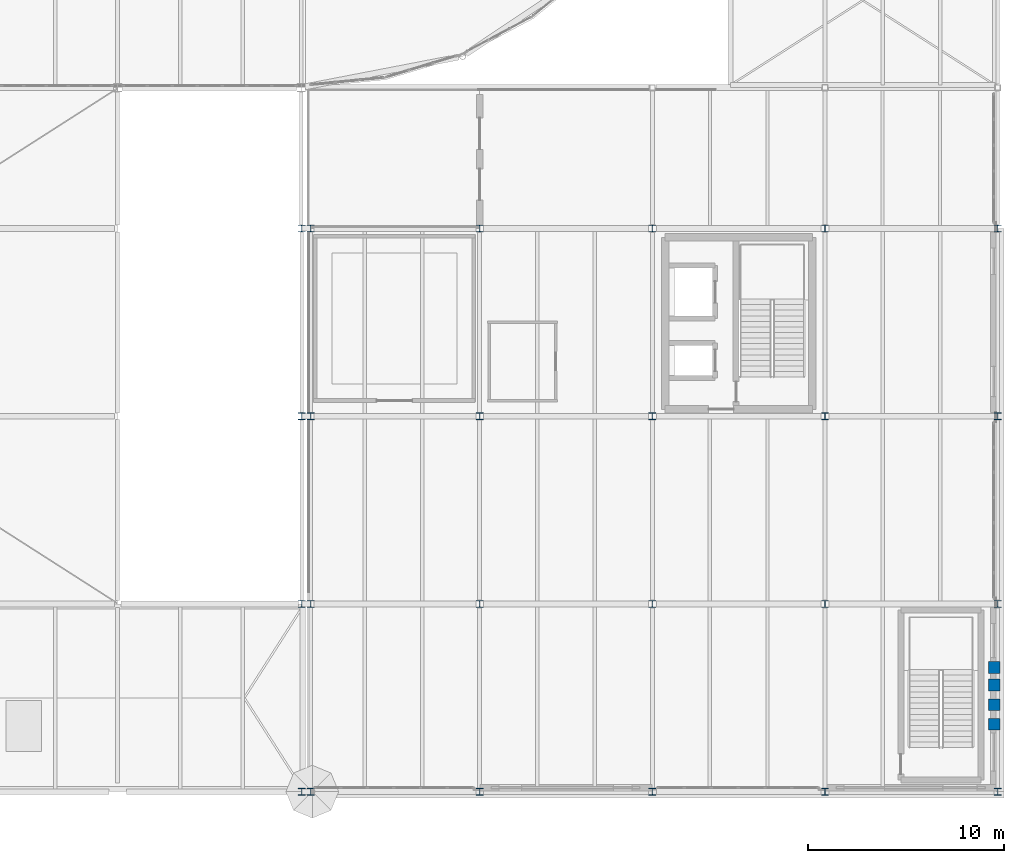
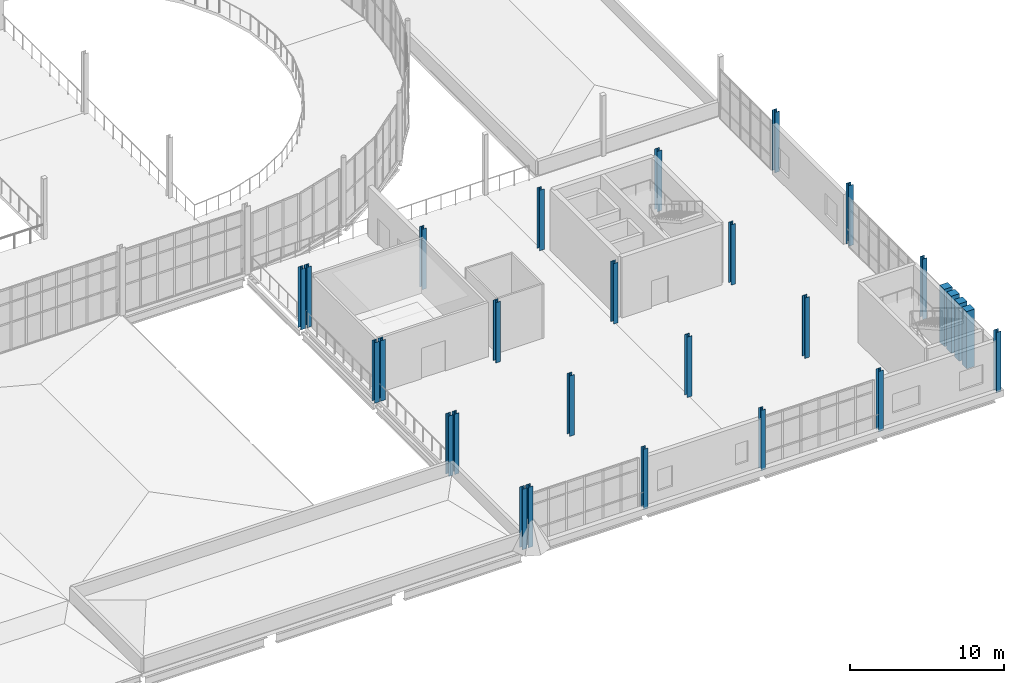
# One storey, part 13 of 112: 28 columns.
"""IFC4 building model written with IfcOpenShell, lengths in metres."""

from ifc_helpers import new_model, si_unit, direction, frame, origin, origin_2d, place, context, subcontext, project, spatial, rectangle, i_section, extrude, material, material_profile, profile_set, type_object, element, save


model = new_model("IFC4")

# Units and contexts
model_context = context("Model", 3, precision=1e-05, world=origin(), true_north=direction((0.0, 1.0)))
body_context = subcontext(model_context, "Body", "Model", "MODEL_VIEW")
ifc_project = project(units=[si_unit("LENGTHUNIT", "METRE"), si_unit("AREAUNIT", "SQUARE_METRE"), si_unit("VOLUMEUNIT", "CUBIC_METRE"), si_unit("PLANEANGLEUNIT", "RADIAN"), si_unit("MASSUNIT", "GRAM", prefix="KILO")], contexts=[model_context])

# Site, building, storey
site_placement = place(None, origin())
site = spatial("IfcSite", under=ifc_project, at=site_placement, CompositionType="ELEMENT")
building_placement = place(site_placement, origin())
building = spatial("IfcBuilding", under=site, at=building_placement, Name="Yeouljin Market Hall", CompositionType="ELEMENT")
storey_placement = place(building_placement, frame((0.0, 0.0, 6.0)))
storey = spatial("IfcBuildingStorey", under=building, at=storey_placement, Name="L01", CompositionType="ELEMENT", Elevation=6.0)

# Columns
ifc_material_1 = material(Name="Steel SM355", Category="steel")
ifc_material_profile_1 = material_profile(ifc_material_1, i_section(OverallWidth=0.35009765625, OverallDepth=0.35009765625, WebThickness=0.011962890625, FlangeThickness=0.01904296875, FilletRadius=0.02001953125, at=origin_2d()), Name="H-350x350x12x19")
ifc_profile_set_1 = profile_set([ifc_material_profile_1], Name="Steel SM355")
column_type_1 = type_object("IfcColumnType", Name="Col_H-350x350x12x19", PredefinedType="COLUMN", material=ifc_profile_set_1)
for number, where, z_axis, x_axis, name in (
    (1, (140.81005859375, 0.0, 0.0), (0.0, 0.0, 1.0), (1.0, 0.0, 0.0), "Column G-16-00 (L01)"),
    (2, (140.81005859375, 9.60009765625, 0.0), (0.0, 0.0, 1.0), (1.0, 0.0, 0.0), "Column G-16-01 (L01)"),
    (3, (140.81005859375, 19.199951171875, 0.0), (0.0, 0.0, 1.0), (1.0, 0.0, 0.0), "Column G-16-02 (L01)"),
    (4, (140.81005859375, 28.800048828125, 0.0), (0.0, 0.0, 1.0), (1.0, 0.0, 0.0), "Column G-16-03 (L01)"),
    (5, (141.27001953125, 0.0, 0.0), (0.0, 0.0, 1.0), (1.0, 0.0, 0.0), "Column G-17-00 (L01)"),
    (6, (141.27001953125, 9.60009765625, 0.0), (0.0, 0.0, 1.0), (1.0, 0.0, 0.0), "Column G-17-01 (L01)"),
    (7, (141.27001953125, 19.199951171875, 0.0), (0.0, 0.0, 1.0), (1.0, 0.0, 0.0), "Column G-17-02 (L01)"),
    (8, (141.27001953125, 28.800048828125, 0.0), (0.0, 0.0, 1.0), (1.0, 0.0, 0.0), "Column G-17-03 (L01)"),
    (9, (149.909912109375, 0.0, 0.0), (0.0, 0.0, 1.0), (1.0, 0.0, 0.0), "Column G-18-00 (L01)"),
    (10, (149.909912109375, 9.60009765625, 0.0), (0.0, 0.0, 1.0), (1.0, 0.0, 0.0), "Column G-18-01 (L01)"),
    (11, (149.909912109375, 19.199951171875, 0.0), (0.0, 0.0, 1.0), (1.0, 0.0, 0.0), "Column G-18-02 (L01)"),
    (12, (149.909912109375, 28.800048828125, 0.0), (0.0, 0.0, 1.0), (1.0, 0.0, 0.0), "Column G-18-03 (L01)"),
    (13, (158.739990234375, 0.0, 0.0), (0.0, 0.0, 1.0), (1.0, 0.0, 0.0), "Column G-19-00 (L01)"),
    (14, (158.739990234375, 9.60009765625, 0.0), (0.0, 0.0, 1.0), (1.0, 0.0, 0.0), "Column G-19-01 (L01)"),
    (15, (158.739990234375, 19.199951171875, 0.0), (0.0, 0.0, 1.0), (1.0, 0.0, 0.0), "Column G-19-02 (L01)"),
    (16, (158.739990234375, 28.800048828125, 0.0), (0.0, 0.0, 1.0), (1.0, 0.0, 0.0), "Column G-19-03 (L01)"),
    (17, (167.570068359375, 0.0, 0.0), (0.0, 0.0, 1.0), (1.0, 0.0, 0.0), "Column G-20-00 (L01)"),
    (18, (167.570068359375, 9.60009765625, 0.0), (0.0, 0.0, 1.0), (1.0, 0.0, 0.0), "Column G-20-01 (L01)"),
    (19, (167.570068359375, 19.199951171875, 0.0), (0.0, 0.0, 1.0), (1.0, 0.0, 0.0), "Column G-20-02 (L01)"),
    (20, (167.570068359375, 28.800048828125, 0.0), (0.0, 0.0, 1.0), (1.0, 0.0, 0.0), "Column G-20-03 (L01)"),
    (21, (176.39990234375, 0.0, 0.0), (0.0, 0.0, 1.0), (1.0, 0.0, 0.0), "Column G-21-00 (L01)"),
    (22, (176.39990234375, 9.60009765625, 0.0), (0.0, 0.0, 1.0), (1.0, 0.0, 0.0), "Column G-21-01 (L01)"),
    (23, (176.39990234375, 19.199951171875, 0.0), (0.0, 0.0, 1.0), (1.0, 0.0, 0.0), "Column G-21-02 (L01)"),
    (24, (176.39990234375, 28.800048828125, 0.0), (0.0, 0.0, 1.0), (1.0, 0.0, 0.0), "Column G-21-03 (L01)"),
):
    element("IfcColumn", number, at=place(storey_placement, frame(where, z_axis=z_axis, x_axis=x_axis)), inside=storey, type_object=column_type_1, Name=name, PredefinedType="COLUMN", context=body_context, shape_type="SweptSolid", body=[
        extrude(i_section(OverallWidth=0.35009765625, OverallDepth=0.35009765625, WebThickness=0.011962890625, FlangeThickness=0.01904296875, FilletRadius=0.02001953125, at=origin_2d()), origin(), (0.0, 0.0, 1.0), 4.800048828125),
    ])
ifc_material_2 = material(Name="Clinker Brick Masonry F2-S2", Category="masonry")
ifc_material_profile_2 = material_profile(ifc_material_2, rectangle(XDim=0.60009765625, YDim=0.60009765625, at=origin_2d()), Name="PIL-600x600")
ifc_profile_set_2 = profile_set([ifc_material_profile_2], Name="Clinker Brick Masonry F2-S2")
column_type_2 = type_object("IfcColumnType", Name="Pilaster_Brick_600x600", PredefinedType="PILASTER", material=ifc_profile_set_2)
for number, where, z_axis, x_axis, name in (
    (25, (176.219970703125, 3.449951171875, 0.0), (0.0, 0.0, 1.0), (1.0, 0.0, 0.0), "Clinker brick pilaster 05"),
    (26, (176.219970703125, 4.449951171875, 0.0), (0.0, 0.0, 1.0), (1.0, 0.0, 0.0), "Clinker brick pilaster 06"),
    (27, (176.219970703125, 5.449951171875, 0.0), (0.0, 0.0, 1.0), (1.0, 0.0, 0.0), "Clinker brick pilaster 07"),
    (28, (176.219970703125, 6.35009765625, 0.0), (0.0, 0.0, 1.0), (1.0, 0.0, 0.0), "Clinker brick pilaster 08"),
):
    element("IfcColumn", number, at=place(storey_placement, frame(where, z_axis=z_axis, x_axis=x_axis)), inside=storey, type_object=column_type_2, Name=name, PredefinedType="PILASTER", context=body_context, shape_type="SweptSolid", body=[
        extrude(rectangle(XDim=0.60009765625, YDim=0.60009765625, at=origin_2d()), origin(), (0.0, 0.0, 1.0), 4.550048828125),
    ])

save(model, "model.ifc")
